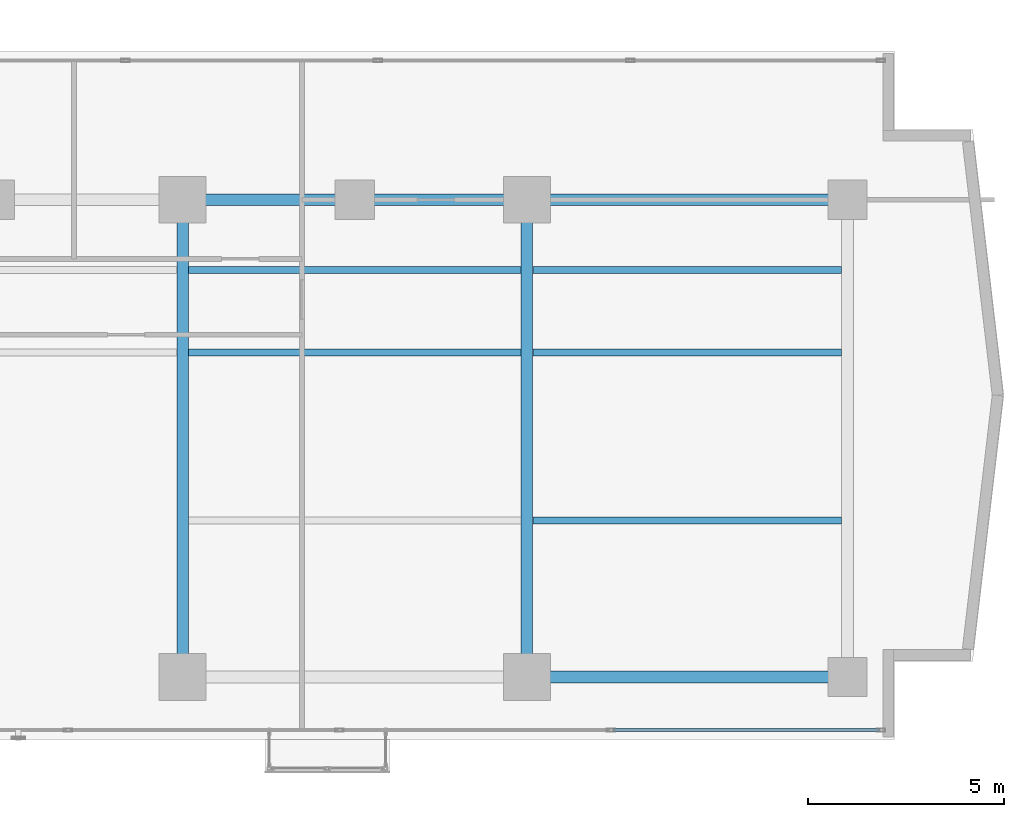
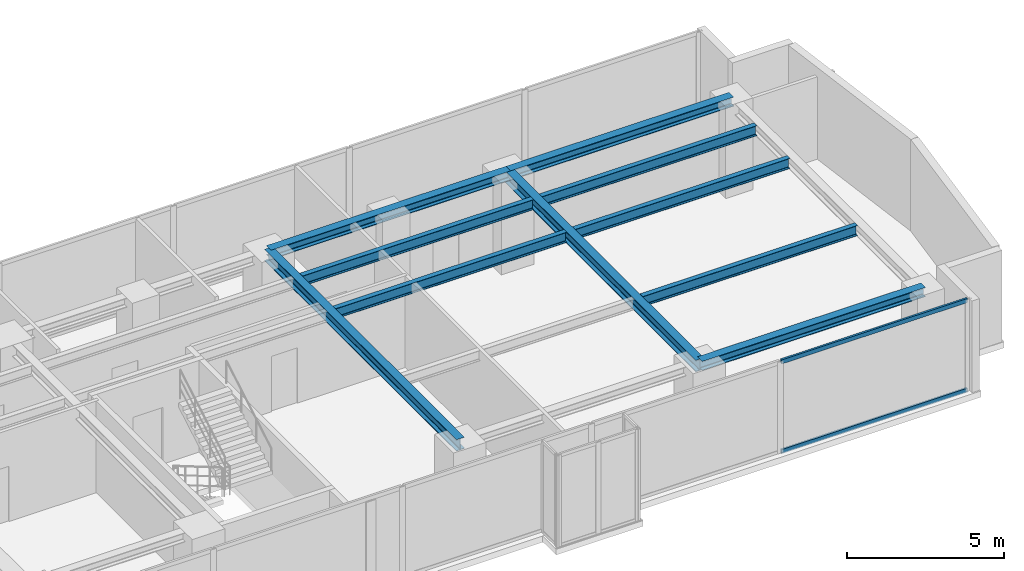
# One storey, part 11 of 26: 10 beams, 2 members, 1 element without a shape of its own.
"""IFC4 building model written with IfcOpenShell, lengths in metres."""

import ifcopenshell
import ifcopenshell.guid

model = None  # the IFC model being written
_history = None  # IfcOwnerHistory: only IFC2X3 demands one
_inside = {}  # id of a spatial element -> (the spatial element, [elements in it])
_under = {}  # id of a project, library or spatial element -> (it, [spatial elements below it])
_declared = {}  # id of a project -> (the project, [libraries it declares])
_typed = {}  # id of a type object -> (the type object, [elements of that type])
_made_of = {}  # id of a material, layer set ... -> (it, [elements and type objects made of it])


def new_model(schema):
    """Start an empty IFC model of exactly this schema.

    Asked for "IFC4X3", IfcOpenShell would pick the latest addendum, in which some entities
    have other attributes; the version numbers below select the first issue.
    IFC2X3 requires an IfcOwnerHistory on every rooted entity: one is made here for all.
    """
    global model, _history
    if schema == "IFC4X3":
        model = ifcopenshell.file(schema_version=(4, 3, 0, 0))
    else:
        model = ifcopenshell.file(schema=schema)
    _inside.clear()
    _under.clear()
    _declared.clear()
    _typed.clear()
    _made_of.clear()
    _history = None
    if model.schema == "IFC2X3":
        org = make("IfcOrganization", Name="unknown")
        user = make(
            "IfcPersonAndOrganization",
            ThePerson=make("IfcPerson", FamilyName="unknown"),
            TheOrganization=org,
        )
        app = make(
            "IfcApplication",
            ApplicationDeveloper=org,
            Version="unknown",
            ApplicationFullName="unknown",
            ApplicationIdentifier="unknown",
        )
        _history = make(
            "IfcOwnerHistory",
            OwningUser=user,
            OwningApplication=app,
            ChangeAction="ADDED",
            CreationDate=0,
        )
    return model


def make(cls, **values):
    """One entity of the class cls with the attributes given. An attribute that is None is left unset."""
    return model.create_entity(
        cls, **{name: value for name, value in values.items() if value is not None}
    )


def rooted(cls, **values):
    """An entity with a GlobalId (a new one), such as an element, a storey or a relation."""
    return make(cls, GlobalId=ifcopenshell.guid.new(), OwnerHistory=_history, **values)


def si_unit(unit_type, name, prefix=None):
    """IfcSIUnit, for example si_unit("LENGTHUNIT", "METRE", prefix="MILLI")."""
    return make("IfcSIUnit", UnitType=unit_type, Prefix=prefix, Name=name)


def assignment(units):
    """IfcUnitAssignment: the units of a project."""
    return None if units is None else make("IfcUnitAssignment", Units=units)


def point(xyz):
    """IfcCartesianPoint."""
    return None if xyz is None else make("IfcCartesianPoint", Coordinates=xyz)


def direction(xyz):
    """IfcDirection."""
    return None if xyz is None else make("IfcDirection", DirectionRatios=xyz)


def frame(location, z_axis=None, x_axis=None):
    """IfcAxis2Placement3D, a coordinate frame: its origin and axes. An axis left out is left unset."""
    return make(
        "IfcAxis2Placement3D",
        Location=point(location),
        Axis=direction(z_axis),
        RefDirection=direction(x_axis),
    )


def frame_2d(location, x_axis=None):
    """IfcAxis2Placement2D, a coordinate frame in the plane: its origin and x axis."""
    return make(
        "IfcAxis2Placement2D", Location=point(location), RefDirection=direction(x_axis)
    )


def origin():
    """The frame at (0, 0, 0) with its axes left unset."""
    return frame((0.0, 0.0, 0.0))


def origin_with_axes():
    """The frame at (0, 0, 0) with the z axis (0, 0, 1) and the x axis (1, 0, 0) written out."""
    return frame((0.0, 0.0, 0.0), z_axis=(0.0, 0.0, 1.0), x_axis=(1.0, 0.0, 0.0))


def origin_2d():
    """The frame at (0, 0) in the plane with its x axis left unset."""
    return frame_2d((0.0, 0.0))


def place(relative_to, where):
    """IfcLocalPlacement: puts the frame where relative to a parent placement (None: the world)."""
    return make(
        "IfcLocalPlacement", PlacementRelTo=relative_to, RelativePlacement=where
    )


def context(
    kind, dimensions, precision=None, world=None, true_north=None, identifier=None
):
    """IfcGeometricRepresentationContext, for example the 3D "Model" context."""
    return make(
        "IfcGeometricRepresentationContext",
        ContextIdentifier=identifier,
        ContextType=kind,
        CoordinateSpaceDimension=dimensions,
        Precision=precision,
        WorldCoordinateSystem=world,
        TrueNorth=true_north,
    )


def subcontext(parent, identifier, kind, view, scale=None):
    """IfcGeometricRepresentationSubContext, for example "Body" below "Model"."""
    return make(
        "IfcGeometricRepresentationSubContext",
        ContextIdentifier=identifier,
        ContextType=kind,
        ParentContext=parent,
        TargetScale=scale,
        TargetView=view,
    )


def project(units=None, contexts=None):
    """IfcProject with its units and contexts."""
    return rooted(
        "IfcProject",
        Name="project",
        RepresentationContexts=contexts,
        UnitsInContext=assignment(units),
    )


def spatial(cls, under=None, at=None, **own):
    """A site, building, storey or space (cls), placed at a placement, below another one or the project."""
    s = rooted(cls, ObjectPlacement=at, **own)
    if under is not None:
        _under.setdefault(under.id(), (under, []))[1].append(s)
    return s


def profile(cls, at=None, kind="AREA", **sizes):
    """A parametric profile (cls). Its sizes go by their IFC names, for example OverallWidth=200.0."""
    return make(cls, ProfileType=kind, Position=at, **sizes)


def hollow_rectangle(**sizes):
    """IfcRectangleHollowProfileDef."""
    return profile("IfcRectangleHollowProfileDef", **sizes)


def i_section(**sizes):
    """IfcIShapeProfileDef."""
    return profile("IfcIShapeProfileDef", **sizes)


def extrude(swept, where, along, depth):
    """IfcExtrudedAreaSolid: the profile swept, set in the frame where, extruded along a direction by depth."""
    return make(
        "IfcExtrudedAreaSolid",
        SweptArea=swept,
        Position=where,
        ExtrudedDirection=direction(along),
        Depth=depth,
    )


def shape(context_of_items, identifier, shape_type, items):
    """IfcShapeRepresentation: the items that make up one representation, for example the "Body"."""
    return make(
        "IfcShapeRepresentation",
        ContextOfItems=context_of_items,
        RepresentationIdentifier=identifier,
        RepresentationType=shape_type,
        Items=items,
    )


def source(mapping_origin, context_of_items, identifier, shape_type, items):
    """IfcRepresentationMap: a shape defined once, which mapped items show again and again."""
    return make(
        "IfcRepresentationMap",
        MappingOrigin=mapping_origin,
        MappedRepresentation=shape(context_of_items, identifier, shape_type, items),
    )


def transform(
    local_origin,
    x_axis=None,
    y_axis=None,
    z_axis=None,
    scale=None,
    scale2=None,
    scale3=None,
    uniform=True,
):
    """IfcCartesianTransformationOperator3D, or its non-uniform kind. x_axis, y_axis, z_axis: its Axis1, 2, 3."""
    if uniform:
        return make(
            "IfcCartesianTransformationOperator3D",
            Axis1=direction(x_axis),
            Axis2=direction(y_axis),
            LocalOrigin=point(local_origin),
            Scale=scale,
            Axis3=direction(z_axis),
        )
    return make(
        "IfcCartesianTransformationOperator3DnonUniform",
        Axis1=direction(x_axis),
        Axis2=direction(y_axis),
        LocalOrigin=point(local_origin),
        Scale=scale,
        Axis3=direction(z_axis),
        Scale2=scale2,
        Scale3=scale3,
    )


def mapped(mapping_source, mapping_target):
    """IfcMappedItem: shows the shape of a source again, moved by a transform."""
    return make(
        "IfcMappedItem", MappingSource=mapping_source, MappingTarget=mapping_target
    )


def material(Name=None, Category=None):
    """IfcMaterial."""
    return make("IfcMaterial", Name=Name, Category=Category)


def layer(
    of_material, thickness, ventilated=None, Name=None, Category=None, Priority=None
):
    """IfcMaterialLayer: one layer of a wall or slab, of a material (None: an air gap)."""
    return make(
        "IfcMaterialLayer",
        Material=of_material,
        LayerThickness=thickness,
        IsVentilated=ventilated,
        Name=Name,
        Category=Category,
        Priority=Priority,
    )


def layer_set(layers, Name=None):
    """IfcMaterialLayerSet."""
    return make("IfcMaterialLayerSet", MaterialLayers=layers, LayerSetName=Name)


def material_profile(
    of_material, cross_section, Name=None, Category=None, Priority=None
):
    """IfcMaterialProfile: a cross section and its material."""
    return make(
        "IfcMaterialProfile",
        Name=Name,
        Material=of_material,
        Profile=cross_section,
        Priority=Priority,
        Category=Category,
    )


def profile_set(profiles, Name=None, composite=None):
    """IfcMaterialProfileSet."""
    return make(
        "IfcMaterialProfileSet",
        Name=Name,
        MaterialProfiles=profiles,
        CompositeProfile=composite,
    )


def made_of(thing, what):
    """Note that an element or type object is made of a material, layer set ...; save() writes the relation."""
    if what is not None:
        _made_of.setdefault(what.id(), (what, []))[1].append(thing)
    return thing


def type_object(cls, material=None, **own):
    """A type object (cls), such as IfcWallType, which elements share."""
    return made_of(rooted(cls, **own), material)


def element(
    cls,
    number,
    at=None,
    inside=None,
    cuts=None,
    type_object=None,
    material=None,
    context=None,
    identifier="Body",
    shape_type=None,
    held_by="IfcProductDefinitionShape",
    body=None,
    shapes=None,
    **own,
):
    """One element of the class cls, such as IfcWall. Its Tag is "e" and its number.

    at: its placement. inside: the storey or other place that contains it. cuts: it is an
    opening in that element (IfcRelVoidsElement). A single representation is given by context,
    identifier, shape_type and body (its items); several are given by shapes. held_by: the class
    of the entity that holds the representations. save() writes the other relations.
    """
    e = rooted(cls, Tag="e%d" % number, ObjectPlacement=at, **own)
    if body is not None:
        shapes = [shape(context, identifier, shape_type, body)]
    if shapes is not None:
        e.Representation = make(held_by, Representations=shapes)
    if inside is not None:
        _inside.setdefault(inside.id(), (inside, []))[1].append(e)
    if cuts is not None:
        rooted(
            "IfcRelVoidsElement", RelatingBuildingElement=cuts, RelatedOpeningElement=e
        )
    if type_object is not None:
        _typed.setdefault(type_object.id(), (type_object, []))[1].append(e)
    return made_of(e, material)


def aggregate(whole, parts):
    """IfcRelAggregates: a whole, such as a stair, and the parts it consists of."""
    return rooted("IfcRelAggregates", RelatingObject=whole, RelatedObjects=parts)


def save(model, path):
    """Write the relations noted so far, then the file.

    IfcRelAggregates (storeys below a building ...), IfcRelContainedInSpatialStructure (elements
    in a storey), IfcRelDefinesByType, IfcRelAssociatesMaterial and IfcRelDeclares: one each for
    every whole, place, type object, material and project.
    """
    for whole, parts in _under.values():
        aggregate(whole, parts)
    for where, things in _inside.values():
        rooted(
            "IfcRelContainedInSpatialStructure",
            RelatedElements=things,
            RelatingStructure=where,
        )
    for kind, things in _typed.values():
        rooted("IfcRelDefinesByType", RelatedObjects=things, RelatingType=kind)
    for what, things in _made_of.values():
        rooted("IfcRelAssociatesMaterial", RelatedObjects=things, RelatingMaterial=what)
    for by, libraries in _declared.values():
        rooted("IfcRelDeclares", RelatingContext=by, RelatedDefinitions=libraries)
    model.write(path)


model = new_model("IFC4")

# Units and contexts
model_context = context("Model", 3, precision=1e-05, world=origin(), true_north=direction((0.0, 1.0)))
body_context = subcontext(model_context, "Body", "Model", "MODEL_VIEW")
ifc_project = project(units=[si_unit("LENGTHUNIT", "METRE"), si_unit("AREAUNIT", "SQUARE_METRE"), si_unit("VOLUMEUNIT", "CUBIC_METRE"), si_unit("PLANEANGLEUNIT", "RADIAN"), si_unit("MASSUNIT", "GRAM", prefix="KILO")], contexts=[model_context])

# Site, building, storey
site_placement = place(None, origin())
site = spatial("IfcSite", under=ifc_project, at=site_placement, CompositionType="ELEMENT")
building_placement = place(site_placement, origin())
building = spatial("IfcBuilding", under=site, at=building_placement, Name="Kolvaren Waterfront Exchange", CompositionType="ELEMENT")
storey_placement = place(building_placement, frame((0.0, 0.0, 150.0)))
storey = spatial("IfcBuildingStorey", under=building, at=storey_placement, Name="L38", CompositionType="ELEMENT", Elevation=150.0)

# Beams
ifc_material_1 = material(Name="Steel S355", Category="steel")
ifc_material_profile_1 = material_profile(ifc_material_1, i_section(OverallWidth=0.300048828125, OverallDepth=0.360107421875, WebThickness=0.012451171875, FlangeThickness=0.0224609375, FilletRadius=0.027099609375, at=origin_2d()), Name="HEB360")
ifc_profile_set_1 = profile_set([ifc_material_profile_1], Name="Steel S355")
beam_type_1 = type_object("IfcBeamType", Name="STR-BM-HEB360", PredefinedType="SPANDREL", material=ifc_profile_set_1)
beam_1_placement = place(storey_placement, frame((45.60009765625, 5.199951171875, 3.3798828125), z_axis=(1.0, 0.0, 0.0), x_axis=(0.0, 1.0, 0.0)))
element("IfcBeam", 1, at=beam_1_placement, inside=storey, type_object=beam_type_1, Name="L38 east-arm spandrel S4", PredefinedType="SPANDREL", context=body_context, shape_type="SweptSolid", body=[
    extrude(i_section(OverallWidth=0.300048828125, OverallDepth=0.360107421875, WebThickness=0.012451171875, FlangeThickness=0.0224609375, FilletRadius=0.027099609375, at=origin_2d()), origin(), (0.0, 0.0, 1.0), 8.199951171875),
])
beam_2_placement = place(storey_placement, frame((36.800048828125, 17.39990234375, 3.3798828125), z_axis=(1.0, 0.0, 0.0), x_axis=(0.0, 1.0, 0.0)))
element("IfcBeam", 2, at=beam_2_placement, inside=storey, type_object=beam_type_1, Name="L38 east-arm spandrel N3", PredefinedType="SPANDREL", context=body_context, shape_type="SweptSolid", body=[
    extrude(i_section(OverallWidth=0.300048828125, OverallDepth=0.360107421875, WebThickness=0.012451171875, FlangeThickness=0.0224609375, FilletRadius=0.027099609375, at=origin_2d()), origin(), (0.0, 0.0, 1.0), 8.800048828125),
])
beam_3_placement = place(storey_placement, frame((45.60009765625, 17.39990234375, 3.3798828125), z_axis=(1.0, 0.0, 0.0), x_axis=(0.0, 1.0, 0.0)))
element("IfcBeam", 3, at=beam_3_placement, inside=storey, type_object=beam_type_1, Name="L38 east-arm spandrel N4", PredefinedType="SPANDREL", context=body_context, shape_type="SweptSolid", body=[
    extrude(i_section(OverallWidth=0.300048828125, OverallDepth=0.360107421875, WebThickness=0.012451171875, FlangeThickness=0.0224609375, FilletRadius=0.027099609375, at=origin_2d()), origin(), (0.0, 0.0, 1.0), 8.199951171875),
])
ifc_material_profile_2 = material_profile(ifc_material_1, i_section(OverallWidth=0.300048828125, OverallDepth=0.449951171875, WebThickness=0.013916015625, FlangeThickness=0.02587890625, FilletRadius=0.027099609375, at=origin_2d()), Name="HEB450")
ifc_profile_set_2 = profile_set([ifc_material_profile_2], Name="Steel S355")
beam_type_2 = type_object("IfcBeamType", Name="STR-BM-HEB450", PredefinedType="BEAM", material=ifc_profile_set_2)
for number, where, z_axis, x_axis, name in (
    (4, (36.800048828125, 5.199951171875, 3.3349609375), (0.0, 1.0, 0.0), (-1.0, 0.0, 0.0), "L38 east-arm transverse girder X36"),
    (5, (45.60009765625, 5.199951171875, 3.3349609375), (0.0, 1.0, 0.0), (-1.0, 0.0, 0.0), "L38 east-arm transverse girder X45"),
):
    element("IfcBeam", number, at=place(storey_placement, frame(where, z_axis=z_axis, x_axis=x_axis)), inside=storey, type_object=beam_type_2, Name=name, PredefinedType="BEAM", context=body_context, shape_type="SweptSolid", body=[
        extrude(i_section(OverallWidth=0.300048828125, OverallDepth=0.449951171875, WebThickness=0.013916015625, FlangeThickness=0.02587890625, FilletRadius=0.027099609375, at=origin_2d()), origin(), (0.0, 0.0, 1.0), 12.199951171875),
    ])
ifc_material_profile_3 = material_profile(ifc_material_1, i_section(OverallWidth=0.179931640625, OverallDepth=0.39990234375, WebThickness=0.008544921875, FlangeThickness=0.013427734375, FilletRadius=0.02099609375, at=origin_2d()), Name="IPE400")
ifc_profile_set_3 = profile_set([ifc_material_profile_3], Name="Steel S355")
beam_type_3 = type_object("IfcBeamType", Name="STR-BM-IPE400", PredefinedType="JOIST", material=ifc_profile_set_3)
for number, where, z_axis, x_axis, name in (
    (6, (36.951904296875, 13.5, 3.360107421875), (1.0, 0.0, 0.0), (0.0, 1.0, 0.0), "L38 east-arm composite joist 3A"),
    (7, (36.951904296875, 15.60009765625, 3.360107421875), (1.0, 0.0, 0.0), (0.0, 1.0, 0.0), "L38 east-arm composite joist 3C"),
):
    element("IfcBeam", number, at=place(storey_placement, frame(where, z_axis=z_axis, x_axis=x_axis)), inside=storey, type_object=beam_type_3, Name=name, PredefinedType="JOIST", context=body_context, shape_type="SweptSolid", body=[
        extrude(i_section(OverallWidth=0.179931640625, OverallDepth=0.39990234375, WebThickness=0.008544921875, FlangeThickness=0.013427734375, FilletRadius=0.02099609375, at=origin_2d()), origin(), (0.0, 0.0, 1.0), 8.49609375),
    ])
for number, where, z_axis, x_axis, name in (
    (8, (45.751953125, 13.5, 3.360107421875), (1.0, 0.0, 0.0), (0.0, 1.0, 0.0), "L38 east-arm composite joist 4A"),
    (9, (45.751953125, 15.60009765625, 3.360107421875), (1.0, 0.0, 0.0), (0.0, 1.0, 0.0), "L38 east-arm composite joist 4C"),
    (10, (45.751953125, 9.199951171875, 3.360107421875), (1.0, 0.0, 0.0), (0.0, 1.0, 0.0), "L38 east-arm composite joist 4B"),
):
    element("IfcBeam", number, at=place(storey_placement, frame(where, z_axis=z_axis, x_axis=x_axis)), inside=storey, type_object=beam_type_3, Name=name, PredefinedType="JOIST", context=body_context, shape_type="SweptSolid", body=[
        extrude(i_section(OverallWidth=0.179931640625, OverallDepth=0.39990234375, WebThickness=0.008544921875, FlangeThickness=0.013427734375, FilletRadius=0.02099609375, at=origin_2d()), origin(), (0.0, 0.0, 1.0), 7.89599609375),
    ])

# Curtain wall, members
ifc_material_2 = material(Name="Anodised bronze aluminium 6063-T6", Category="aluminium")
ifc_layer = layer(ifc_material_2, 0.219970703125, Name="Anodised bronze aluminium 6063-T6")
ifc_layer_set = layer_set([ifc_layer], Name="Anodised bronze aluminium 6063-T6")
curtain_wall_type = type_object("IfcCurtainWallType", Name="ARC-CW-SYS1", PredefinedType="USERDEFINED", material=ifc_layer_set)
curtain_wall_placement = place(storey_placement, origin())
curtain_wall = element("IfcCurtainWall", 11, at=curtain_wall_placement, inside=storey, type_object=curtain_wall_type, Name="L38 stick curtain wall CW1 (CW-L38-S)", ObjectType="STICK CURTAIN WALL", PredefinedType="USERDEFINED")
ifc_material_3 = material(Name="Anodised aluminium 6063-T6", Category="aluminium")
ifc_material_profile_4 = material_profile(ifc_material_3, hollow_rectangle(XDim=0.074951171875, YDim=0.159912109375, WallThickness=0.00439453125, at=origin_2d()), Name="ALU-TRN-160x75x4.5")
ifc_profile_set_4 = profile_set([ifc_material_profile_4], Name="Anodised aluminium 6063-T6")
member_type = type_object("IfcMemberType", Name="ARC-CWT-160", PredefinedType="USERDEFINED", material=ifc_profile_set_4)
shared_shape = source(origin_with_axes(), body_context, "Body", "SweptSolid", [
    extrude(hollow_rectangle(XDim=0.074951171875, YDim=0.159912109375, WallThickness=0.00439453125, at=origin_2d()), origin(), (0.0, 0.0, 1.0), 6.822998046875),
])
member_1_placement = place(storey_placement, frame((47.797119140625, 3.840087890625, 0.03759765625), z_axis=(1.0, 0.0, 0.0), x_axis=(0.0, 1.0, 0.0)))
member_1 = element("IfcMember", 12, at=member_1_placement, type_object=member_type, Name="CW1 transom 7.1", ObjectType="TRANSOM", PredefinedType="USERDEFINED", context=body_context, shape_type="MappedRepresentation", body=[
    mapped(shared_shape, transform((0.0, 0.0, 0.0), x_axis=(1.0, 0.0, 0.0), y_axis=(0.0, 1.0, 0.0), z_axis=(0.0, 0.0, 1.0), scale=1.0)),
])
member_2_placement = place(storey_placement, frame((47.797119140625, 3.840087890625, 3.5224609375), z_axis=(1.0, 0.0, 0.0), x_axis=(0.0, 1.0, 0.0)))
member_2 = element("IfcMember", 13, at=member_2_placement, type_object=member_type, Name="CW1 transom 7.2", ObjectType="TRANSOM", PredefinedType="USERDEFINED", context=body_context, shape_type="MappedRepresentation", body=[
    mapped(shared_shape, transform((0.0, 0.0, 0.0), x_axis=(1.0, 0.0, 0.0), y_axis=(0.0, 1.0, 0.0), z_axis=(0.0, 0.0, 1.0), scale=1.0)),
])
aggregate(curtain_wall, [member_1, member_2])

save(model, "model.ifc")
